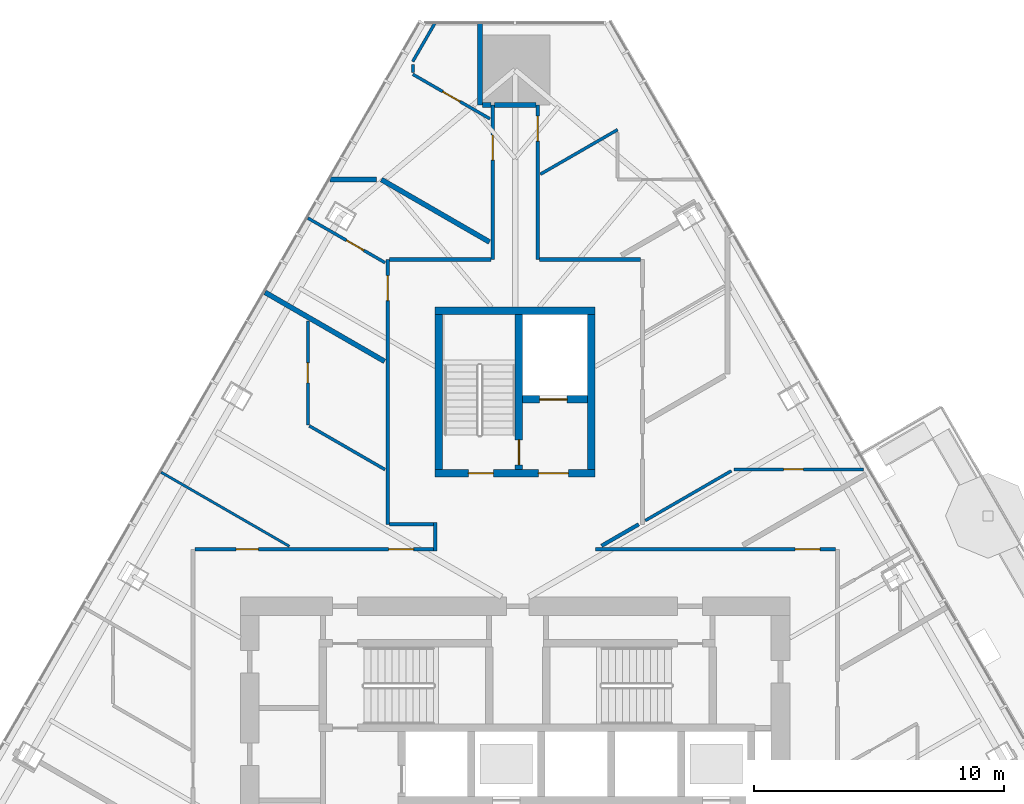
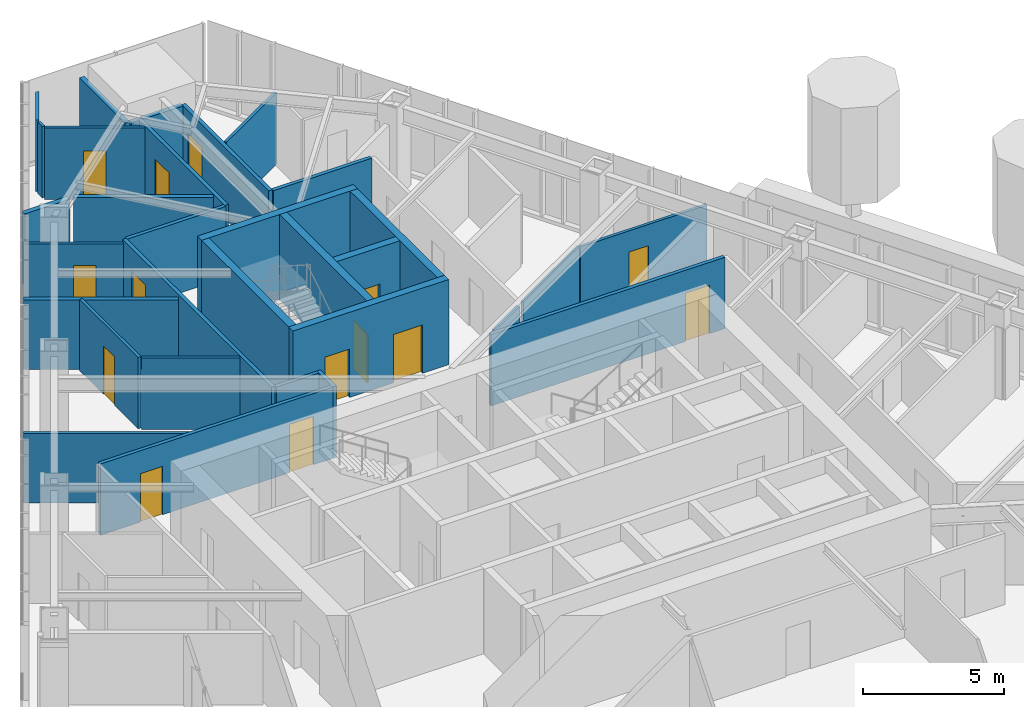
# One storey, part 14 of 18: 32 walls, 14 doors, 14 openings.
"""IFC4 building model written with IfcOpenShell, lengths in metres."""

from ifc_helpers import new_model, si_unit, direction, frame, frame_2d, origin, place, context, subcontext, project, spatial, rectangle, extrude, material, layer, layer_set, type_object, element, fill, save


model = new_model("IFC4")

# Units and contexts
model_context = context("Model", 3, precision=1e-05, world=origin(), true_north=direction((0.0, 1.0)))
body_context = subcontext(model_context, "Body", "Model", "MODEL_VIEW")
ifc_project = project(units=[si_unit("LENGTHUNIT", "METRE"), si_unit("AREAUNIT", "SQUARE_METRE"), si_unit("VOLUMEUNIT", "CUBIC_METRE"), si_unit("PLANEANGLEUNIT", "RADIAN"), si_unit("MASSUNIT", "GRAM", prefix="KILO")], contexts=[model_context])

# Site, building, storey
site_placement = place(None, origin())
site = spatial("IfcSite", under=ifc_project, at=site_placement, CompositionType="ELEMENT")
building_placement = place(site_placement, origin())
building = spatial("IfcBuilding", under=site, at=building_placement, Name="Firuza Gate Tower and Library", CompositionType="ELEMENT")
storey_placement = place(building_placement, frame((0.0, 0.0, 226.0)))
storey = spatial("IfcBuildingStorey", under=building, at=storey_placement, Name="L53", CompositionType="ELEMENT", Elevation=226.0)

# Wall, openings, doors
ifc_material_1 = material(Name="Concrete C80/95", Category="concrete")
ifc_layer_1 = layer(ifc_material_1, 0.300048828125)
ifc_layer_set_1 = layer_set([ifc_layer_1], Name="Core wall 300 C80/95")
wall_type_1 = type_object("IfcWallType", Name="Core wall 300 C80/95", PredefinedType="SHEAR", material=ifc_layer_set_1)
wall_1_placement = place(storey_placement, frame((71.800048828125, 87.949951171875, 0.0), z_axis=(0.0, 0.0, 1.0), x_axis=(1.0, 0.0, 0.0)))
wall_1 = element("IfcWall", 1, at=wall_1_placement, inside=storey, type_object=wall_type_1, Name="Core wall L53 27", PredefinedType="SHEAR", context=body_context, shape_type="SweptSolid", body=[
    extrude(rectangle(XDim=6.39990234375, YDim=0.300048828125, at=frame_2d((3.199951171875, 0.0))), origin(), (0.0, 0.0, 1.0), 3.699951171875),
])
opening_1_placement = place(wall_1_placement, frame((1.324951171875, 0.0, 0.0)))
opening_1 = element("IfcOpeningElement", 2, at=opening_1_placement, cuts=wall_1, Name="Opening L53-K15", PredefinedType="OPENING", context=body_context, shape_type="SweptSolid", body=[
    extrude(rectangle(XDim=1.0, YDim=2.10009765625, at=frame_2d((0.5, 1.050048828125))), frame((0.0, 0.16015625, 0.0), z_axis=(0.0, -1.0, 0.0), x_axis=(1.0, 0.0, 0.0)), (0.0, 0.0, 1.0), 0.320068359375),
])
opening_2_placement = place(wall_1_placement, frame((4.125, 0.0, 0.0)))
opening_2 = element("IfcOpeningElement", 3, at=opening_2_placement, cuts=wall_1, Name="Opening L53-K17", PredefinedType="OPENING", context=body_context, shape_type="SweptSolid", body=[
    extrude(rectangle(XDim=1.199951171875, YDim=2.10009765625, at=frame_2d((0.60009765625, 1.050048828125))), frame((0.0, 0.16015625, 0.0), z_axis=(0.0, -1.0, 0.0), x_axis=(1.0, 0.0, 0.0)), (0.0, 0.0, 1.0), 0.320068359375),
])
ifc_material_2 = material(Name="Steel", Category="steel")
door_type_1 = type_object("IfcDoorType", Name="Fire door 1000x2100 FD90", OperationType="NOTDEFINED", PredefinedType="DOOR", material=ifc_material_2)
door_1_placement = place(opening_1_placement, origin())
door_1 = element("IfcDoor", 4, at=door_1_placement, inside=storey, type_object=door_type_1, Name="Door L53-K15", OperationType="SINGLE_SWING_RIGHT", OverallHeight=2.10009765625, OverallWidth=1.0, PredefinedType="DOOR", context=body_context, shape_type="SweptSolid", body=[
    extrude(rectangle(XDim=1.0, YDim=2.10009765625, at=frame_2d((0.5, 1.050048828125))), frame((0.0, 0.02490234375, 0.0), z_axis=(0.0, -1.0, 0.0), x_axis=(1.0, 0.0, 0.0)), (0.0, 0.0, 1.0), 0.050048828125),
])
fill(opening_1, door_1)
ifc_material_3 = material(Name="Steel", Category="steel")
door_type_2 = type_object("IfcDoorType", Name="Fire door 1200x2100 FD30S", OperationType="NOTDEFINED", PredefinedType="DOOR", material=ifc_material_3)
door_2_placement = place(opening_2_placement, origin())
door_2 = element("IfcDoor", 5, at=door_2_placement, inside=storey, type_object=door_type_2, Name="Door L53-K17", OperationType="SINGLE_SWING_RIGHT", OverallHeight=2.10009765625, OverallWidth=1.199951171875, PredefinedType="DOOR", context=body_context, shape_type="SweptSolid", body=[
    extrude(rectangle(XDim=1.199951171875, YDim=2.10009765625, at=frame_2d((0.60009765625, 1.050048828125))), frame((0.0, 0.02490234375, 0.0), z_axis=(0.0, -1.0, 0.0), x_axis=(1.0, 0.0, 0.0)), (0.0, 0.0, 1.0), 0.050048828125),
])
fill(opening_2, door_2)

# Walls
wall_2_placement = place(storey_placement, frame((71.800048828125, 94.449951171875, 0.0), z_axis=(0.0, 0.0, 1.0), x_axis=(1.0, 0.0, 0.0)))
element("IfcWall", 6, at=wall_2_placement, inside=storey, type_object=wall_type_1, Name="Core wall L53 28", PredefinedType="SHEAR", context=body_context, shape_type="SweptSolid", body=[
    extrude(rectangle(XDim=6.39990234375, YDim=0.300048828125, at=frame_2d((3.199951171875, 0.0))), origin(), (0.0, 0.0, 1.0), 3.699951171875),
])
for number, where, z_axis, x_axis, name in (
    (7, (71.949951171875, 88.10009765625, 0.0), (0.0, 0.0, 1.0), (0.0, 1.0, 0.0), "Core wall L53 29"),
    (8, (78.050048828125, 88.10009765625, 0.0), (0.0, 0.0, 1.0), (0.0, 1.0, 0.0), "Core wall L53 30"),
):
    element("IfcWall", number, at=place(storey_placement, frame(where, z_axis=z_axis, x_axis=x_axis)), inside=storey, type_object=wall_type_1, Name=name, PredefinedType="SHEAR", context=body_context, shape_type="SweptSolid", body=[
        extrude(rectangle(XDim=6.199951171875, YDim=0.300048828125, at=frame_2d((3.10009765625, 0.0))), origin(), (0.0, 0.0, 1.0), 3.699951171875),
    ])

# Wall, opening, door
wall_3_placement = place(storey_placement, frame((75.300048828125, 90.89990234375, 0.0), z_axis=(0.0, 0.0, 1.0), x_axis=(1.0, 0.0, 0.0)))
wall_3 = element("IfcWall", 9, at=wall_3_placement, inside=storey, type_object=wall_type_1, Name="Core wall L53 31", PredefinedType="SHEAR", context=body_context, shape_type="SweptSolid", body=[
    extrude(rectangle(XDim=2.599853515625, YDim=0.300048828125, at=frame_2d((1.2998046875, 0.0))), origin(), (0.0, 0.0, 1.0), 3.699951171875),
])
opening_3_placement = place(wall_3_placement, frame((0.675048828125, 0.0, 0.0)))
opening_3 = element("IfcOpeningElement", 10, at=opening_3_placement, cuts=wall_3, Name="Opening LD-SV1-L53", PredefinedType="OPENING", context=body_context, shape_type="SweptSolid", body=[
    extrude(rectangle(XDim=1.10009765625, YDim=2.10009765625, at=frame_2d((0.550048828125, 1.050048828125))), frame((0.0, 0.16015625, 0.0), z_axis=(0.0, -1.0, 0.0), x_axis=(1.0, 0.0, 0.0)), (0.0, 0.0, 1.0), 0.320068359375),
])
ifc_material_4 = material(Name="Stainless steel", Category="steel")
door_type_3 = type_object("IfcDoorType", Name="Lift landing door 1100x2100", OperationType="DOUBLE_DOOR_SLIDING", PredefinedType="DOOR", material=ifc_material_4)
door_3_placement = place(opening_3_placement, origin())
door_3 = element("IfcDoor", 11, at=door_3_placement, inside=storey, type_object=door_type_3, Name="Landing door SV1 L53", OperationType="DOUBLE_DOOR_SLIDING", OverallHeight=2.10009765625, OverallWidth=1.10009765625, PredefinedType="DOOR", context=body_context, shape_type="SweptSolid", body=[
    extrude(rectangle(XDim=1.10009765625, YDim=2.10009765625, at=frame_2d((0.550048828125, 1.050048828125))), frame((0.0, 0.02490234375, 0.0), z_axis=(0.0, -1.0, 0.0), x_axis=(1.0, 0.0, 0.0)), (0.0, 0.0, 1.0), 0.050048828125),
])
fill(opening_3, door_3)

wall_4_placement = place(storey_placement, frame((75.14990234375, 88.10009765625, 0.0), z_axis=(0.0, 0.0, 1.0), x_axis=(0.0, 1.0, 0.0)))
wall_4 = element("IfcWall", 12, at=wall_4_placement, inside=storey, type_object=wall_type_1, Name="Core wall L53 32", PredefinedType="SHEAR", context=body_context, shape_type="SweptSolid", body=[
    extrude(rectangle(XDim=6.199951171875, YDim=0.300048828125, at=frame_2d((3.10009765625, 0.0))), origin(), (0.0, 0.0, 1.0), 3.699951171875),
])
opening_4_placement = place(wall_4_placement, frame((0.18505859375, 0.0, 0.0)))
opening_4 = element("IfcOpeningElement", 13, at=opening_4_placement, cuts=wall_4, Name="Opening L53-K16", PredefinedType="OPENING", context=body_context, shape_type="SweptSolid", body=[
    extrude(rectangle(XDim=1.0, YDim=2.10009765625, at=frame_2d((0.5, 1.050048828125))), frame((0.0, 0.16015625, 0.0), z_axis=(0.0, -1.0, 0.0), x_axis=(1.0, 0.0, 0.0)), (0.0, 0.0, 1.0), 0.320068359375),
])
door_4_placement = place(opening_4_placement, origin())
door_4 = element("IfcDoor", 14, at=door_4_placement, inside=storey, type_object=door_type_1, Name="Door L53-K16", OperationType="SINGLE_SWING_LEFT", OverallHeight=2.10009765625, OverallWidth=1.0, PredefinedType="DOOR", context=body_context, shape_type="SweptSolid", body=[
    extrude(rectangle(XDim=1.0, YDim=2.10009765625, at=frame_2d((0.5, 1.050048828125))), frame((0.0, 0.02490234375, 0.0), z_axis=(0.0, -1.0, 0.0), x_axis=(1.0, 0.0, 0.0)), (0.0, 0.0, 1.0), 0.050048828125),
])
fill(opening_4, door_4)

# Wall, openings, doors
ifc_material_5 = material(Name="Gypsum board partition")
ifc_layer_2 = layer(ifc_material_5, 0.14990234375)
ifc_layer_set_2 = layer_set([ifc_layer_2], Name="Corridor wall 150 double board on steel studs")
wall_type_2 = type_object("IfcWallType", Name="Corridor wall 150 double board on steel studs", PredefinedType="PARTITIONING", material=ifc_layer_set_2)
wall_5_placement = place(storey_placement, frame((62.175537109375, 84.89990234375, 0.0), z_axis=(0.0, 0.0, 1.0), x_axis=(1.0, 0.0, 0.0)))
wall_5 = element("IfcWall", 15, at=wall_5_placement, inside=storey, type_object=wall_type_2, Name="f:L53:w003", PredefinedType="PARTITIONING", context=body_context, shape_type="SweptSolid", body=[
    extrude(rectangle(XDim=9.549560546875, YDim=0.14990234375, at=frame_2d((4.77490234375, 0.0))), origin(), (0.0, 0.0, 1.0), 3.096923828125),
])
opening_5_placement = place(wall_5_placement, frame((1.64892578125, 0.0, 0.0)))
opening_5 = element("IfcOpeningElement", 16, at=opening_5_placement, cuts=wall_5, Name="Opening L53-05", PredefinedType="OPENING", context=body_context, shape_type="SweptSolid", body=[
    extrude(rectangle(XDim=0.89990234375, YDim=2.10009765625, at=frame_2d((0.449951171875, 1.050048828125))), frame((0.0, 0.0849609375, 0.0), z_axis=(0.0, -1.0, 0.0), x_axis=(1.0, 0.0, 0.0)), (0.0, 0.0, 1.0), 0.169921875),
])
opening_6_placement = place(wall_5_placement, frame((7.759033203125, 0.0, 0.0)))
opening_6 = element("IfcOpeningElement", 17, at=opening_6_placement, cuts=wall_5, Name="Opening L53-06", PredefinedType="OPENING", context=body_context, shape_type="SweptSolid", body=[
    extrude(rectangle(XDim=1.0, YDim=2.10009765625, at=frame_2d((0.5, 1.050048828125))), frame((0.0, 0.0849609375, 0.0), z_axis=(0.0, -1.0, 0.0), x_axis=(1.0, 0.0, 0.0)), (0.0, 0.0, 1.0), 0.169921875),
])
ifc_material_6 = material(Name="Steel door and timber leaf", Category="steel")
door_type_4 = type_object("IfcDoorType", Name="Fire door 1000 x 2100 steel frame, timber leaf", OperationType="NOTDEFINED", PredefinedType="DOOR", material=ifc_material_6)
door_5_placement = place(opening_6_placement, origin())
door_5 = element("IfcDoor", 18, at=door_5_placement, inside=storey, type_object=door_type_4, Name="f:L53:d006", OperationType="SINGLE_SWING_LEFT", OverallHeight=2.10009765625, OverallWidth=1.0, PredefinedType="DOOR", context=body_context, shape_type="SweptSolid", body=[
    extrude(rectangle(XDim=1.0, YDim=2.10009765625, at=frame_2d((0.5, 1.050048828125))), frame((0.0, 0.02490234375, 0.0), z_axis=(0.0, -1.0, 0.0), x_axis=(1.0, 0.0, 0.0)), (0.0, 0.0, 1.0), 0.050048828125),
])
fill(opening_6, door_5)
ifc_material_7 = material(Name="Steel door and timber leaf", Category="steel")
door_type_5 = type_object("IfcDoorType", Name="Fire door 900 x 2100 steel frame, timber leaf", OperationType="NOTDEFINED", PredefinedType="DOOR", material=ifc_material_7)
door_6_placement = place(opening_5_placement, origin())
door_6 = element("IfcDoor", 19, at=door_6_placement, inside=storey, type_object=door_type_5, Name="f:L53:d005", OperationType="SINGLE_SWING_LEFT", OverallHeight=2.10009765625, OverallWidth=0.89990234375, PredefinedType="DOOR", context=body_context, shape_type="SweptSolid", body=[
    extrude(rectangle(XDim=0.89990234375, YDim=2.10009765625, at=frame_2d((0.449951171875, 1.050048828125))), frame((0.0, 0.02490234375, 0.0), z_axis=(0.0, -1.0, 0.0), x_axis=(1.0, 0.0, 0.0)), (0.0, 0.0, 1.0), 0.050048828125),
])
fill(opening_5, door_6)

# Wall, opening, door
wall_6_placement = place(storey_placement, frame((78.21533203125, 84.89990234375, 0.0), z_axis=(0.0, 0.0, 1.0), x_axis=(1.0, 0.0, 0.0)))
wall_6 = element("IfcWall", 20, at=wall_6_placement, inside=storey, type_object=wall_type_2, Name="f:L53:w004", PredefinedType="PARTITIONING", context=body_context, shape_type="SweptSolid", body=[
    extrude(rectangle(XDim=9.609130859375, YDim=0.14990234375, at=frame_2d((4.8046875, 0.0))), origin(), (0.0, 0.0, 1.0), 3.096923828125),
])
opening_7_placement = place(wall_6_placement, frame((7.989501953125, 0.0, 0.0)))
opening_7 = element("IfcOpeningElement", 21, at=opening_7_placement, cuts=wall_6, Name="Opening L53-07", PredefinedType="OPENING", context=body_context, shape_type="SweptSolid", body=[
    extrude(rectangle(XDim=1.0, YDim=2.10009765625, at=frame_2d((0.5, 1.050048828125))), frame((0.0, 0.0849609375, 0.0), z_axis=(0.0, -1.0, 0.0), x_axis=(1.0, 0.0, 0.0)), (0.0, 0.0, 1.0), 0.169921875),
])
door_7_placement = place(opening_7_placement, origin())
door_7 = element("IfcDoor", 22, at=door_7_placement, inside=storey, type_object=door_type_4, Name="f:L53:d007", OperationType="SINGLE_SWING_LEFT", OverallHeight=2.10009765625, OverallWidth=1.0, PredefinedType="DOOR", context=body_context, shape_type="SweptSolid", body=[
    extrude(rectangle(XDim=1.0, YDim=2.10009765625, at=frame_2d((0.5, 1.050048828125))), frame((0.0, 0.02490234375, 0.0), z_axis=(0.0, -1.0, 0.0), x_axis=(1.0, 0.0, 0.0)), (0.0, 0.0, 1.0), 0.050048828125),
])
fill(opening_7, door_7)

# Walls
wall_7_placement = place(storey_placement, frame((69.9755859375, 85.89990234375, 0.0), z_axis=(0.0, 0.0, 1.0), x_axis=(1.0, 0.0, 0.0)))
element("IfcWall", 23, at=wall_7_placement, inside=storey, type_object=wall_type_2, Name="f:L53:w005", PredefinedType="PARTITIONING", context=body_context, shape_type="SweptSolid", body=[
    extrude(rectangle(XDim=1.74951171875, YDim=0.14990234375, at=frame_2d((0.874755859375, 0.0))), origin(), (0.0, 0.0, 1.0), 3.10009765625),
])
for number, where, z_axis, x_axis, name in (
    (24, (69.9755859375, 96.5, 0.0), (0.0, 0.0, 1.0), (1.0, 0.0, 0.0), "f:L53:w007"),
    (25, (75.97509765625, 96.5, 0.0), (0.0, 0.0, 1.0), (1.0, 0.0, 0.0), "f:L53:w008"),
):
    element("IfcWall", number, at=place(storey_placement, frame(where, z_axis=z_axis, x_axis=x_axis)), inside=storey, type_object=wall_type_2, Name=name, PredefinedType="PARTITIONING", context=body_context, shape_type="SweptSolid", body=[
        extrude(rectangle(XDim=4.04931640625, YDim=0.14990234375, at=frame_2d((2.024658203125, 0.0))), origin(), (0.0, 0.0, 1.0), 3.10009765625),
    ])
wall_8_placement = place(storey_placement, frame((78.457763671875, 85.0400390625, 0.0), z_axis=(0.0, 0.0, 1.0), x_axis=(0.865989383878, 0.500062383118, 0.0)))
element("IfcWall", 26, at=wall_8_placement, inside=storey, type_object=wall_type_2, Name="f:L53:w026", PredefinedType="PARTITIONING", context=body_context, shape_type="SweptSolid", body=[
    extrude(rectangle(XDim=1.719970703125, YDim=0.14990234375, at=frame_2d((0.85986328125, 0.0))), origin(), (0.0, 0.0, 1.0), 3.10009765625),
])

# Wall, opening, door
wall_9_placement = place(storey_placement, frame((75.89990234375, 102.69091796875, 0.0), z_axis=(0.0, 0.0, 1.0), x_axis=(0.0, -1.0, 0.0)))
wall_9 = element("IfcWall", 27, at=wall_9_placement, inside=storey, type_object=wall_type_2, Name="f:L53:w047", PredefinedType="PARTITIONING", context=body_context, shape_type="SweptSolid", body=[
    extrude(rectangle(XDim=6.19091796875, YDim=0.14990234375, at=frame_2d((3.095458984375, 0.0))), origin(), (0.0, 0.0, 1.0), 3.10009765625),
])
opening_8_placement = place(wall_9_placement, frame((0.446533203125, 0.0, 0.0)))
opening_8 = element("IfcOpeningElement", 28, at=opening_8_placement, cuts=wall_9, Name="Opening L53-22", PredefinedType="OPENING", context=body_context, shape_type="SweptSolid", body=[
    extrude(rectangle(XDim=1.0, YDim=2.10009765625, at=frame_2d((0.5, 1.050048828125))), frame((0.0, 0.0849609375, 0.0), z_axis=(0.0, -1.0, 0.0), x_axis=(1.0, 0.0, 0.0)), (0.0, 0.0, 1.0), 0.169921875),
])
door_8_placement = place(opening_8_placement, origin())
door_8 = element("IfcDoor", 29, at=door_8_placement, inside=storey, type_object=door_type_4, Name="f:L53:d022", OperationType="SINGLE_SWING_RIGHT", OverallHeight=2.10009765625, OverallWidth=1.0, PredefinedType="DOOR", context=body_context, shape_type="SweptSolid", body=[
    extrude(rectangle(XDim=1.0, YDim=2.10009765625, at=frame_2d((0.5, 1.050048828125))), frame((0.0, 0.02490234375, 0.0), z_axis=(0.0, -1.0, 0.0), x_axis=(1.0, 0.0, 0.0)), (0.0, 0.0, 1.0), 0.050048828125),
])
fill(opening_8, door_8)

wall_10_placement = place(storey_placement, frame((74.10009765625, 96.5, 0.0), z_axis=(0.0, 0.0, 1.0), x_axis=(0.0, 1.0, 0.0)))
wall_10 = element("IfcWall", 30, at=wall_10_placement, inside=storey, type_object=wall_type_2, Name="f:L53:w050", PredefinedType="PARTITIONING", context=body_context, shape_type="SweptSolid", body=[
    extrude(rectangle(XDim=6.19140625, YDim=0.14990234375, at=frame_2d((3.095703125, 0.0))), origin(), (0.0, 0.0, 1.0), 3.10009765625),
])
opening_9_placement = place(wall_10_placement, frame((3.980712890625, 0.0, 0.0)))
opening_9 = element("IfcOpeningElement", 31, at=opening_9_placement, cuts=wall_10, Name="Opening L53-23", PredefinedType="OPENING", context=body_context, shape_type="SweptSolid", body=[
    extrude(rectangle(XDim=1.0, YDim=2.10009765625, at=frame_2d((0.5, 1.050048828125))), frame((0.0, 0.0849609375, 0.0), z_axis=(0.0, -1.0, 0.0), x_axis=(1.0, 0.0, 0.0)), (0.0, 0.0, 1.0), 0.169921875),
])
door_9_placement = place(opening_9_placement, origin())
door_9 = element("IfcDoor", 32, at=door_9_placement, inside=storey, type_object=door_type_4, Name="f:L53:d023", OperationType="SINGLE_SWING_LEFT", OverallHeight=2.10009765625, OverallWidth=1.0, PredefinedType="DOOR", context=body_context, shape_type="SweptSolid", body=[
    extrude(rectangle(XDim=1.0, YDim=2.10009765625, at=frame_2d((0.5, 1.050048828125))), frame((0.0, 0.02490234375, 0.0), z_axis=(0.0, -1.0, 0.0), x_axis=(1.0, 0.0, 0.0)), (0.0, 0.0, 1.0), 0.050048828125),
])
fill(opening_9, door_9)

# Wall
wall_11_placement = place(storey_placement, frame((71.800048828125, 84.824951171875, 0.0), z_axis=(0.0, 0.0, 1.0), x_axis=(0.0, 1.0, 0.0)))
element("IfcWall", 33, at=wall_11_placement, inside=storey, type_object=wall_type_2, Name="f:L53:w052", PredefinedType="PARTITIONING", context=body_context, shape_type="SweptSolid", body=[
    extrude(rectangle(XDim=1.150146484375, YDim=0.14990234375, at=frame_2d((0.5751953125, 0.0))), origin(), (0.0, 0.0, 1.0), 3.10009765625),
])

# Wall, opening, door
wall_12_placement = place(storey_placement, frame((69.89990234375, 85.900390625, 0.0), z_axis=(0.0, 0.0, 1.0), x_axis=(0.0, 1.0, 0.0)))
wall_12 = element("IfcWall", 34, at=wall_12_placement, inside=storey, type_object=wall_type_2, Name="f:L53:w054", PredefinedType="PARTITIONING", context=body_context, shape_type="SweptSolid", body=[
    extrude(rectangle(XDim=10.59912109375, YDim=0.14990234375, at=frame_2d((5.299560546875, 0.0))), origin(), (0.0, 0.0, 1.0), 3.10009765625),
])
opening_10_placement = place(wall_12_placement, frame((8.956298828125, 0.0, 0.0)))
opening_10 = element("IfcOpeningElement", 35, at=opening_10_placement, cuts=wall_12, Name="Opening L53-24", PredefinedType="OPENING", context=body_context, shape_type="SweptSolid", body=[
    extrude(rectangle(XDim=1.0, YDim=2.10009765625, at=frame_2d((0.5, 1.050048828125))), frame((0.0, 0.0849609375, 0.0), z_axis=(0.0, -1.0, 0.0), x_axis=(1.0, 0.0, 0.0)), (0.0, 0.0, 1.0), 0.169921875),
])
door_10_placement = place(opening_10_placement, origin())
door_10 = element("IfcDoor", 36, at=door_10_placement, inside=storey, type_object=door_type_4, Name="f:L53:d024", OperationType="SINGLE_SWING_LEFT", OverallHeight=2.10009765625, OverallWidth=1.0, PredefinedType="DOOR", context=body_context, shape_type="SweptSolid", body=[
    extrude(rectangle(XDim=1.0, YDim=2.10009765625, at=frame_2d((0.5, 1.050048828125))), frame((0.0, 0.02490234375, 0.0), z_axis=(0.0, -1.0, 0.0), x_axis=(1.0, 0.0, 0.0)), (0.0, 0.0, 1.0), 0.050048828125),
])
fill(opening_10, door_10)

# Walls
ifc_material_8 = material(Name="Gypsum board partition")
ifc_layer_3 = layer(ifc_material_8, 0.199951171875)
ifc_layer_set_3 = layer_set([ifc_layer_3], Name="Demising wall 200 acoustic double stud")
wall_type_3 = type_object("IfcWallType", Name="Demising wall 200 acoustic double stud", PredefinedType="PARTITIONING", material=ifc_layer_set_3)
wall_13_placement = place(storey_placement, frame((67.594482421875, 99.699951171875, 0.0), z_axis=(0.0, 0.0, 1.0), x_axis=(1.0, 0.0, 0.0)))
element("IfcWall", 37, at=wall_13_placement, inside=storey, type_object=wall_type_3, Name="f:L53:w009", PredefinedType="PARTITIONING", context=body_context, shape_type="SweptSolid", body=[
    extrude(rectangle(XDim=1.85302734375, YDim=0.199951171875, at=frame_2d((0.926513671875, 0.0))), origin(), (0.0, 0.0, 1.0), 3.10009765625),
])
wall_14_placement = place(storey_placement, frame((73.700439453125, 102.69091796875, 0.0), z_axis=(0.0, 0.0, 1.0), x_axis=(1.0, 0.0, 0.0)))
element("IfcWall", 38, at=wall_14_placement, inside=storey, type_object=wall_type_3, Name="f:L53:w011", PredefinedType="PARTITIONING", context=body_context, shape_type="SweptSolid", body=[
    extrude(rectangle(XDim=0.324462890625, YDim=0.199951171875, at=frame_2d((0.162109375, 0.0))), origin(), (0.0, 0.0, 1.0), 3.10009765625),
])
wall_15_placement = place(storey_placement, frame((73.60009765625, 102.69189453125, 0.0), z_axis=(0.0, 0.0, 1.0), x_axis=(0.0, 1.0, 0.0)))
element("IfcWall", 39, at=wall_15_placement, inside=storey, type_object=wall_type_3, Name="f:L53:w051", PredefinedType="PARTITIONING", context=body_context, shape_type="SweptSolid", body=[
    extrude(rectangle(XDim=3.259521484375, YDim=0.199951171875, at=frame_2d((1.6298828125, 0.0))), origin(), (0.0, 0.0, 1.0), 3.10009765625),
])
wall_16_placement = place(storey_placement, frame((73.972900390625, 97.2021484375, 0.0), z_axis=(0.0, 0.0, 1.0), x_axis=(-0.866035818332, 0.499981961041, 0.0)))
element("IfcWall", 40, at=wall_16_placement, inside=storey, type_object=wall_type_3, Name="f:L53:w068", PredefinedType="PARTITIONING", context=body_context, shape_type="SweptSolid", body=[
    extrude(rectangle(XDim=4.994873046875, YDim=0.199951171875, at=frame_2d((2.49755859375, 0.0))), origin(), (0.0, 0.0, 1.0), 3.10009765625),
])
wall_17_placement = place(storey_placement, frame((69.77294921875, 92.424072265625, 0.0), z_axis=(0.0, 0.0, 1.0), x_axis=(-0.866031780221, 0.499988955525, 0.0)))
element("IfcWall", 41, at=wall_17_placement, inside=storey, type_object=wall_type_3, Name="f:L53:w070", PredefinedType="PARTITIONING", context=body_context, shape_type="SweptSolid", body=[
    extrude(rectangle(XDim=5.5244140625, YDim=0.199951171875, at=frame_2d((2.76220703125, 0.0))), origin(), (0.0, 0.0, 1.0), 3.02197265625),
])
wall_18_placement = place(storey_placement, frame((74.175048828125, 102.69091796875, 0.0), z_axis=(0.0, 0.0, 1.0), x_axis=(1.0, 0.0, 0.0)))
element("IfcWall", 42, at=wall_18_placement, inside=storey, type_object=wall_type_3, Name="f:L53:w086", PredefinedType="PARTITIONING", context=body_context, shape_type="SweptSolid", body=[
    extrude(rectangle(XDim=1.6494140625, YDim=0.199951171875, at=frame_2d((0.82470703125, 0.0))), origin(), (0.0, 0.0, 1.0), 3.096923828125),
])
ifc_material_9 = material(Name="Gypsum board partition")
ifc_layer_4 = layer(ifc_material_9, 0.10009765625)
ifc_layer_set_4 = layer_set([ifc_layer_4], Name="Partition 100 gypsum board on steel studs")
wall_type_4 = type_object("IfcWallType", Name="Partition 100 gypsum board on steel studs", PredefinedType="PARTITIONING", material=ifc_layer_set_4)
wall_19_placement = place(storey_placement, frame((65.962646484375, 85.020263671875, 0.0), z_axis=(0.0, 0.0, 1.0), x_axis=(-0.866029186229, 0.499993448556, 0.0)))
element("IfcWall", 43, at=wall_19_placement, inside=storey, type_object=wall_type_4, Name="f:L53:w072", PredefinedType="PARTITIONING", context=body_context, shape_type="SweptSolid", body=[
    extrude(rectangle(XDim=5.9267578125, YDim=0.10009765625, at=frame_2d((2.96337890625, 0.0))), origin(), (0.0, 0.0, 1.0), 3.02197265625),
])

# Wall, opening, door
ifc_material_10 = material(Name="Gypsum board partition")
ifc_layer_5 = layer(ifc_material_10, 0.1201171875)
ifc_layer_set_5 = layer_set([ifc_layer_5], Name="Wet-area partition 120 moisture-resistant board")
wall_type_5 = type_object("IfcWallType", Name="Wet-area partition 120 moisture-resistant board", PredefinedType="PARTITIONING", material=ifc_layer_set_5)
wall_20_placement = place(storey_placement, frame((88.941162109375, 88.10009765625, 0.0), z_axis=(0.0, 0.0, 1.0), x_axis=(-1.0, 0.0, 0.0)))
wall_20 = element("IfcWall", 44, at=wall_20_placement, inside=storey, type_object=wall_type_5, Name="f:L53:w006", PredefinedType="PARTITIONING", context=body_context, shape_type="SweptSolid", body=[
    extrude(rectangle(XDim=5.183349609375, YDim=0.1201171875, at=frame_2d((2.591796875, 0.0))), origin(), (0.0, 0.0, 1.0), 3.02197265625),
])
opening_11_placement = place(wall_20_placement, frame((2.3994140625, 0.0, 0.0)))
opening_11 = element("IfcOpeningElement", 45, at=opening_11_placement, cuts=wall_20, Name="Opening L53-08", PredefinedType="OPENING", context=body_context, shape_type="SweptSolid", body=[
    extrude(rectangle(XDim=0.800048828125, YDim=2.10009765625, at=frame_2d((0.39990234375, 1.050048828125))), frame((0.0, 0.070068359375, 0.0), z_axis=(0.0, -1.0, 0.0), x_axis=(1.0, 0.0, 0.0)), (0.0, 0.0, 1.0), 0.14013671875),
])
ifc_material_11 = material(Name="Timber door", Category="wood")
door_type_6 = type_object("IfcDoorType", Name="Door 800 x 2100 timber leaf", OperationType="NOTDEFINED", PredefinedType="DOOR", material=ifc_material_11)
door_11_placement = place(opening_11_placement, origin())
door_11 = element("IfcDoor", 46, at=door_11_placement, inside=storey, type_object=door_type_6, Name="f:L53:d008", OperationType="SINGLE_SWING_LEFT", OverallHeight=2.10009765625, OverallWidth=0.800048828125, PredefinedType="DOOR", context=body_context, shape_type="SweptSolid", body=[
    extrude(rectangle(XDim=0.800048828125, YDim=2.10009765625, at=frame_2d((0.39990234375, 1.050048828125))), frame((0.0, 0.02490234375, 0.0), z_axis=(0.0, -1.0, 0.0), x_axis=(1.0, 0.0, 0.0)), (0.0, 0.0, 1.0), 0.050048828125),
])
fill(opening_11, door_11)

# Walls
wall_21_placement = place(storey_placement, frame((80.20947265625, 86.051513671875, 0.0), z_axis=(0.0, 0.0, 1.0), x_axis=(0.866032250876, 0.499988140302, 0.0)))
element("IfcWall", 47, at=wall_21_placement, inside=storey, type_object=wall_type_5, Name="f:L53:w027", PredefinedType="PARTITIONING", context=body_context, shape_type="SweptSolid", body=[
    extrude(rectangle(XDim=3.97705078125, YDim=0.1201171875, at=frame_2d((1.988525390625, 0.0))), origin(), (0.0, 0.0, 1.0), 3.10009765625),
])
wall_22_placement = place(storey_placement, frame((76.009765625, 99.913818359375, 0.0), z_axis=(0.0, 0.0, 1.0), x_axis=(0.866028357664, 0.499994883695, 0.0)))
element("IfcWall", 48, at=wall_22_placement, inside=storey, type_object=wall_type_5, Name="f:L53:w032", PredefinedType="PARTITIONING", context=body_context, shape_type="SweptSolid", body=[
    extrude(rectangle(XDim=3.568359375, YDim=0.1201171875, at=frame_2d((1.7841796875, 0.0))), origin(), (0.0, 0.0, 1.0), 3.10009765625),
])
wall_23_placement = place(storey_placement, frame((70.899658203125, 104.42578125, 0.0), z_axis=(0.0, 0.0, 1.0), x_axis=(0.500014360914, 0.866017112348, 0.0)))
element("IfcWall", 49, at=wall_23_placement, inside=storey, type_object=wall_type_5, Name="f:L53:w037", PredefinedType="PARTITIONING", context=body_context, shape_type="SweptSolid", body=[
    extrude(rectangle(XDim=1.76171875, YDim=0.1201171875, at=frame_2d((0.880859375, 0.0))), origin(), (0.0, 0.0, 1.0), 3.10009765625),
])
wall_24_placement = place(storey_placement, frame((70.89990234375, 103.986083984375, 0.0), z_axis=(0.0, 0.0, 1.0), x_axis=(0.0, 1.0, 0.0)))
element("IfcWall", 50, at=wall_24_placement, inside=storey, type_object=wall_type_5, Name="f:L53:w053", PredefinedType="PARTITIONING", context=body_context, shape_type="SweptSolid", body=[
    extrude(rectangle(XDim=0.3193359375, YDim=0.1201171875, at=frame_2d((0.15966796875, 0.0))), origin(), (0.0, 0.0, 1.0), 3.10009765625),
])

# Wall, opening, door
wall_25_placement = place(storey_placement, frame((66.699951171875, 94.04296875, 0.0), z_axis=(0.0, 0.0, 1.0), x_axis=(0.0, -1.0, 0.0)))
wall_25 = element("IfcWall", 51, at=wall_25_placement, inside=storey, type_object=wall_type_5, Name="f:L53:w055", PredefinedType="PARTITIONING", context=body_context, shape_type="SweptSolid", body=[
    extrude(rectangle(XDim=4.16650390625, YDim=0.1201171875, at=frame_2d((2.083251953125, 0.0))), origin(), (0.0, 0.0, 1.0), 3.10009765625),
])
opening_12_placement = place(wall_25_placement, frame((1.683349609375, 0.0, 0.0)))
opening_12 = element("IfcOpeningElement", 52, at=opening_12_placement, cuts=wall_25, Name="Opening L53-25", PredefinedType="OPENING", context=body_context, shape_type="SweptSolid", body=[
    extrude(rectangle(XDim=0.800048828125, YDim=2.10009765625, at=frame_2d((0.39990234375, 1.050048828125))), frame((0.0, 0.070068359375, 0.0), z_axis=(0.0, -1.0, 0.0), x_axis=(1.0, 0.0, 0.0)), (0.0, 0.0, 1.0), 0.14013671875),
])
door_12_placement = place(opening_12_placement, origin())
door_12 = element("IfcDoor", 53, at=door_12_placement, inside=storey, type_object=door_type_6, Name="f:L53:d025", OperationType="SINGLE_SWING_LEFT", OverallHeight=2.10009765625, OverallWidth=0.800048828125, PredefinedType="DOOR", context=body_context, shape_type="SweptSolid", body=[
    extrude(rectangle(XDim=0.800048828125, YDim=2.10009765625, at=frame_2d((0.39990234375, 1.050048828125))), frame((0.0, 0.02490234375, 0.0), z_axis=(0.0, -1.0, 0.0), x_axis=(1.0, 0.0, 0.0)), (0.0, 0.0, 1.0), 0.050048828125),
])
fill(opening_12, door_12)

wall_26_placement = place(storey_placement, frame((70.900146484375, 103.917236328125, 0.0), z_axis=(0.0, 0.0, 1.0), x_axis=(0.866028357664, -0.499994883695, 0.0)))
wall_26 = element("IfcWall", 54, at=wall_26_placement, inside=storey, type_object=wall_type_5, Name="f:L53:w067", PredefinedType="PARTITIONING", context=body_context, shape_type="SweptSolid", body=[
    extrude(rectangle(XDim=3.568359375, YDim=0.1201171875, at=frame_2d((1.7841796875, 0.0))), origin(), (0.0, 0.0, 1.0), 3.10009765625),
])
opening_13_placement = place(wall_26_placement, frame((1.38427734375, 0.0, 0.0)))
opening_13 = element("IfcOpeningElement", 55, at=opening_13_placement, cuts=wall_26, Name="Opening L53-30", PredefinedType="OPENING", context=body_context, shape_type="SweptSolid", body=[
    extrude(rectangle(XDim=0.800048828125, YDim=2.10009765625, at=frame_2d((0.39990234375, 1.050048828125))), frame((0.0, 0.070068359375, 0.0), z_axis=(0.0, -1.0, 0.0), x_axis=(1.0, 0.0, 0.0)), (0.0, 0.0, 1.0), 0.14013671875),
])
door_13_placement = place(opening_13_placement, origin())
door_13 = element("IfcDoor", 56, at=door_13_placement, inside=storey, type_object=door_type_6, Name="f:L53:d030", OperationType="SINGLE_SWING_LEFT", OverallHeight=2.10009765625, OverallWidth=0.800048828125, PredefinedType="DOOR", context=body_context, shape_type="SweptSolid", body=[
    extrude(rectangle(XDim=0.800048828125, YDim=2.10009765625, at=frame_2d((0.39990234375, 1.050048828125))), frame((0.0, 0.02490234375, 0.0), z_axis=(0.0, -1.0, 0.0), x_axis=(1.0, 0.0, 0.0)), (0.0, 0.0, 1.0), 0.050048828125),
])
fill(opening_13, door_13)

wall_27_placement = place(storey_placement, frame((66.703857421875, 98.15771484375, 0.0), z_axis=(0.0, 0.0, 1.0), x_axis=(0.866021313335, -0.500007084799, 0.0)))
wall_27 = element("IfcWall", 57, at=wall_27_placement, inside=storey, type_object=wall_type_5, Name="f:L53:w069", PredefinedType="PARTITIONING", context=body_context, shape_type="SweptSolid", body=[
    extrude(rectangle(XDim=3.56396484375, YDim=0.1201171875, at=frame_2d((1.781982421875, 0.0))), origin(), (0.0, 0.0, 1.0), 3.02197265625),
])
opening_14_placement = place(wall_27_placement, frame((1.78173828125, 0.0, 0.0)))
opening_14 = element("IfcOpeningElement", 58, at=opening_14_placement, cuts=wall_27, Name="Opening L53-31", PredefinedType="OPENING", context=body_context, shape_type="SweptSolid", body=[
    extrude(rectangle(XDim=0.800048828125, YDim=2.10009765625, at=frame_2d((0.39990234375, 1.050048828125))), frame((0.0, 0.070068359375, 0.0), z_axis=(0.0, -1.0, 0.0), x_axis=(1.0, 0.0, 0.0)), (0.0, 0.0, 1.0), 0.14013671875),
])
door_14_placement = place(opening_14_placement, origin())
door_14 = element("IfcDoor", 59, at=door_14_placement, inside=storey, type_object=door_type_6, Name="f:L53:d031", OperationType="SINGLE_SWING_LEFT", OverallHeight=2.10009765625, OverallWidth=0.800048828125, PredefinedType="DOOR", context=body_context, shape_type="SweptSolid", body=[
    extrude(rectangle(XDim=0.800048828125, YDim=2.10009765625, at=frame_2d((0.39990234375, 1.050048828125))), frame((0.0, 0.02490234375, 0.0), z_axis=(0.0, -1.0, 0.0), x_axis=(1.0, 0.0, 0.0)), (0.0, 0.0, 1.0), 0.050048828125),
])
fill(opening_14, door_14)

# Wall
wall_28_placement = place(storey_placement, frame((69.790283203125, 88.092041015625, 0.0), z_axis=(0.0, 0.0, 1.0), x_axis=(-0.866045006744, 0.49996604514, 0.0)))
element("IfcWall", 60, at=wall_28_placement, inside=storey, type_object=wall_type_5, Name="f:L53:w071", PredefinedType="PARTITIONING", context=body_context, shape_type="SweptSolid", body=[
    extrude(rectangle(XDim=3.499267578125, YDim=0.1201171875, at=frame_2d((1.74951171875, 0.0))), origin(), (0.0, 0.0, 1.0), 3.10009765625),
])

save(model, "model.ifc")
